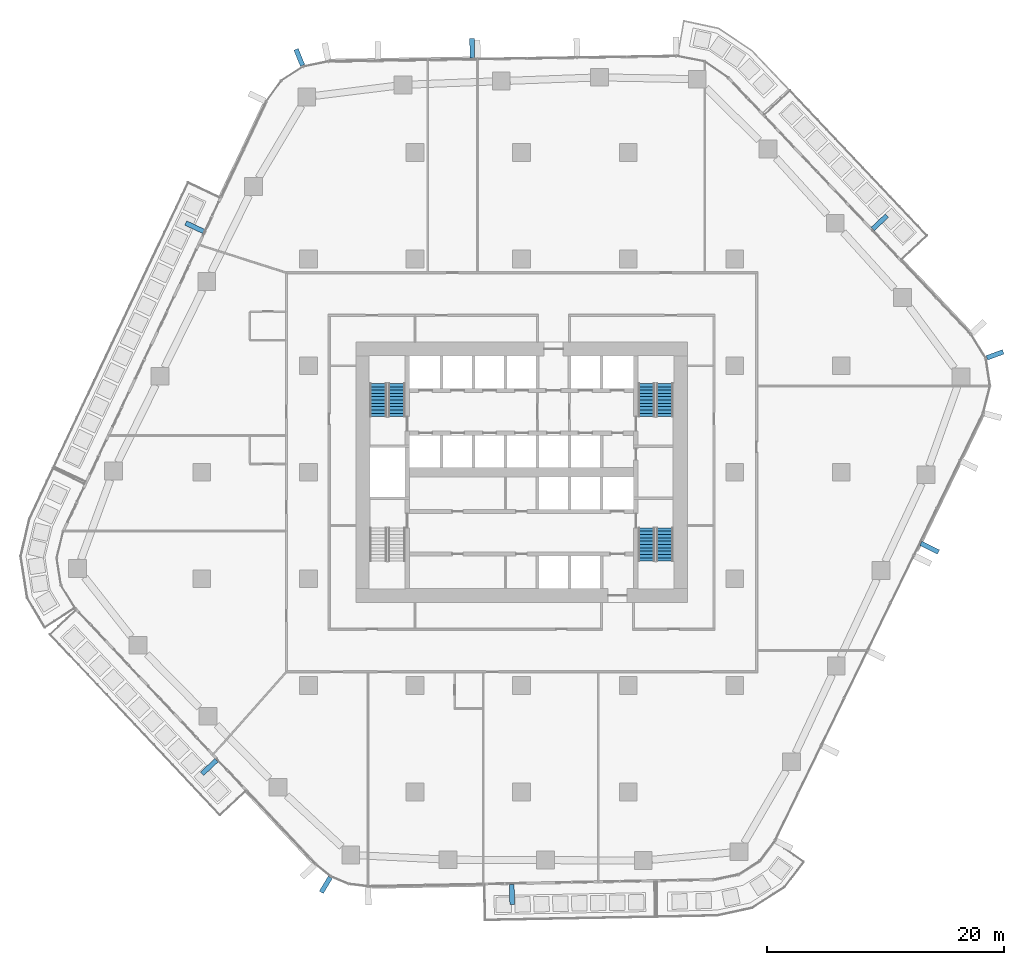
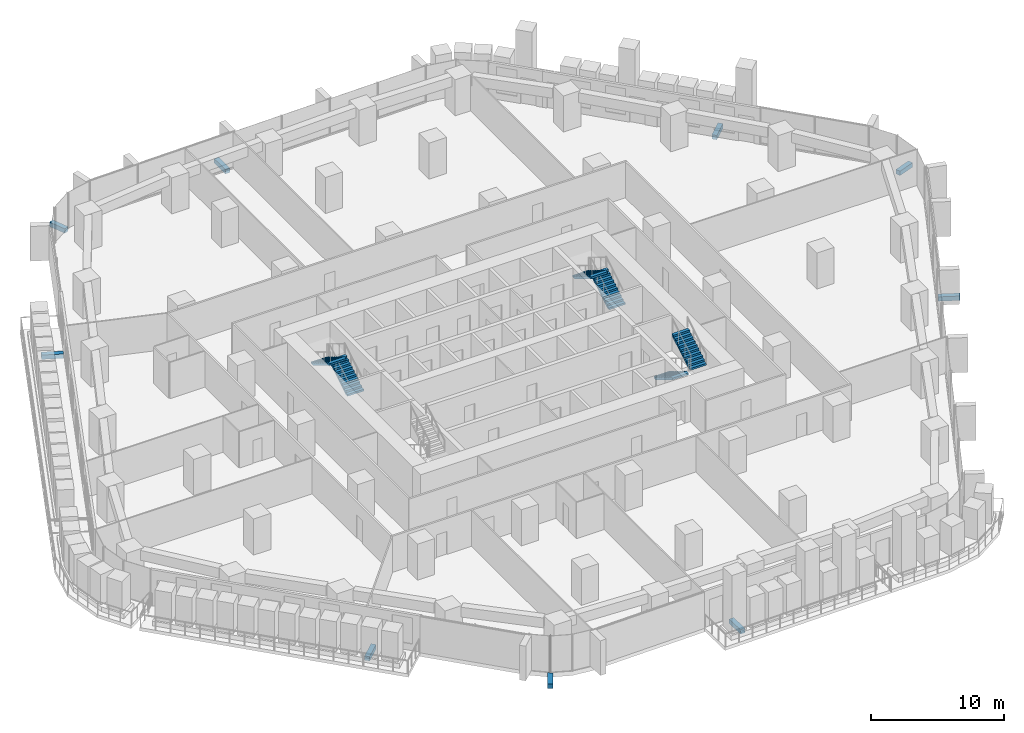
# One storey, part 18 of 25: 9 discrete accessories, 6 stair flights, 3 elements without a shape of their own.
"""IFC4 building model written with IfcOpenShell, lengths in metres."""

from ifc_helpers import new_model, si_unit, direction, frame, origin, origin_2d, place, context, subcontext, project, spatial, polyline, rectangle, outline, extrude, material, layer, layer_set, type_object, element, aggregate, save


model = new_model("IFC4")

# Units and contexts
model_context = context("Model", 3, precision=1e-05, world=origin(), true_north=direction((0.0, 1.0)))
body_context = subcontext(model_context, "Body", "Model", "MODEL_VIEW")
ifc_project = project(units=[si_unit("LENGTHUNIT", "METRE"), si_unit("AREAUNIT", "SQUARE_METRE"), si_unit("VOLUMEUNIT", "CUBIC_METRE"), si_unit("PLANEANGLEUNIT", "RADIAN"), si_unit("MASSUNIT", "GRAM", prefix="KILO")], contexts=[model_context])

# Site, building, storey
site_placement = place(None, origin())
site = spatial("IfcSite", under=ifc_project, at=site_placement, CompositionType="ELEMENT")
building_placement = place(site_placement, origin())
building = spatial("IfcBuilding", under=site, at=building_placement, Name="Dongbaek Canopy Tower", CompositionType="ELEMENT")
storey_placement = place(building_placement, frame((0.0, 0.0, 81.0)))
storey = spatial("IfcBuildingStorey", under=building, at=storey_placement, Name="L16", CompositionType="ELEMENT", Elevation=81.0)

# Stair, stair flights
ifc_material_1 = material(Name="Concrete C40/50", Category="concrete")
stair_type = type_object("IfcStairType", Name="Core exit stair", PredefinedType="HALF_TURN_STAIR", material=ifc_material_1)
stair_1_placement = place(storey_placement, origin())
stair_1 = element("IfcStair", 1, at=stair_1_placement, inside=storey, type_object=stair_type, Name="L16 exit stair A", PredefinedType="HALF_TURN_STAIR")
ifc_material_2 = material(Name="Concrete C40/50", Category="concrete")
ifc_layer = layer(ifc_material_2, 0.14990234375)
ifc_layer_set = layer_set([ifc_layer], Name="Core stair flight 150 waist")
stair_flight_type = type_object("IfcStairFlightType", Name="Core stair flight 150 waist", PredefinedType="STRAIGHT", material=ifc_layer_set)
stair_flight_1_placement = place(storey_placement, frame((12.10009765625, 4.699951171875, 0.0), z_axis=(0.0, 0.0, 1.0), x_axis=(0.0, 1.0, 0.0)))
stair_flight_1 = element("IfcStairFlight", 2, at=stair_flight_1_placement, type_object=stair_flight_type, Name="ST-A flight 1", NumberOfRisers=11, NumberOfTreads=10, PredefinedType="STRAIGHT", RiserHeight=0.168181818, TreadLength=0.28, context=body_context, shape_type="SweptSolid", body=[
    extrude(outline(polyline([(0.0, 0.0), (0.0, 0.168212890625), (0.280029296875, 0.168212890625), (0.280029296875, 0.33642578125), (0.56005859375, 0.33642578125), (0.56005859375, 0.504638671875), (0.840087890625, 0.504638671875), (0.840087890625, 0.672607421875), (1.1201171875, 0.672607421875), (1.1201171875, 0.8408203125), (1.39990234375, 0.8408203125), (1.39990234375, 1.009033203125), (1.679931640625, 1.009033203125), (1.679931640625, 1.17724609375), (1.9599609375, 1.17724609375), (1.9599609375, 1.345458984375), (2.239990234375, 1.345458984375), (2.239990234375, 1.513671875), (2.52001953125, 1.513671875), (2.52001953125, 1.681884765625), (2.800048828125, 1.681884765625), (2.800048828125, 1.85009765625), (2.800048828125, 1.5068359375), (0.291015625, 0.0), (0.0, 0.0)])), frame((0.0, 0.699951171875, 0.0), z_axis=(0.0, -1.0, 0.0), x_axis=(1.0, 0.0, 0.0)), (0.0, 0.0, 1.0), 1.39990234375),
])
stair_flight_2_placement = place(storey_placement, frame((10.550048828125, 7.5, 1.85009765625), z_axis=(0.0, 0.0, 1.0), x_axis=(0.0, -1.0, 0.0)))
stair_flight_2 = element("IfcStairFlight", 3, at=stair_flight_2_placement, type_object=stair_flight_type, Name="ST-A flight 2", NumberOfRisers=11, NumberOfTreads=10, PredefinedType="STRAIGHT", RiserHeight=0.168181818, TreadLength=0.28, context=body_context, shape_type="SweptSolid", body=[
    extrude(outline(polyline([(0.0, 0.0), (0.0, 0.168212890625), (0.280029296875, 0.168212890625), (0.280029296875, 0.33642578125), (0.56005859375, 0.33642578125), (0.56005859375, 0.504638671875), (0.840087890625, 0.504638671875), (0.840087890625, 0.672607421875), (1.1201171875, 0.672607421875), (1.1201171875, 0.8408203125), (1.39990234375, 0.8408203125), (1.39990234375, 1.009033203125), (1.679931640625, 1.009033203125), (1.679931640625, 1.17724609375), (1.9599609375, 1.17724609375), (1.9599609375, 1.345458984375), (2.239990234375, 1.345458984375), (2.239990234375, 1.513671875), (2.52001953125, 1.513671875), (2.52001953125, 1.681884765625), (2.800048828125, 1.681884765625), (2.800048828125, 1.85009765625), (2.800048828125, 1.5068359375), (0.291015625, 0.0), (0.0, 0.0)])), frame((0.0, 0.699951171875, 0.0), z_axis=(0.0, -1.0, 0.0), x_axis=(1.0, 0.0, 0.0)), (0.0, 0.0, 1.0), 1.39990234375),
])
aggregate(stair_1, [stair_flight_1, stair_flight_2])

stair_2_placement = place(storey_placement, origin())
stair_2 = element("IfcStair", 4, at=stair_2_placement, inside=storey, type_object=stair_type, Name="L16 exit stair C", PredefinedType="HALF_TURN_STAIR")
stair_flight_3_placement = place(storey_placement, frame((-10.550048828125, 4.699951171875, 0.0), z_axis=(0.0, 0.0, 1.0), x_axis=(0.0, 1.0, 0.0)))
stair_flight_3 = element("IfcStairFlight", 5, at=stair_flight_3_placement, type_object=stair_flight_type, Name="ST-C flight 1", NumberOfRisers=11, NumberOfTreads=10, PredefinedType="STRAIGHT", RiserHeight=0.168181818, TreadLength=0.28, context=body_context, shape_type="SweptSolid", body=[
    extrude(outline(polyline([(0.0, 0.0), (0.0, 0.168212890625), (0.280029296875, 0.168212890625), (0.280029296875, 0.33642578125), (0.56005859375, 0.33642578125), (0.56005859375, 0.504638671875), (0.840087890625, 0.504638671875), (0.840087890625, 0.672607421875), (1.1201171875, 0.672607421875), (1.1201171875, 0.8408203125), (1.39990234375, 0.8408203125), (1.39990234375, 1.009033203125), (1.679931640625, 1.009033203125), (1.679931640625, 1.17724609375), (1.9599609375, 1.17724609375), (1.9599609375, 1.345458984375), (2.239990234375, 1.345458984375), (2.239990234375, 1.513671875), (2.52001953125, 1.513671875), (2.52001953125, 1.681884765625), (2.800048828125, 1.681884765625), (2.800048828125, 1.85009765625), (2.800048828125, 1.5068359375), (0.291015625, 0.0), (0.0, 0.0)])), frame((0.0, 0.699951171875, 0.0), z_axis=(0.0, -1.0, 0.0), x_axis=(1.0, 0.0, 0.0)), (0.0, 0.0, 1.0), 1.39990234375),
])
stair_flight_4_placement = place(storey_placement, frame((-12.10009765625, 7.5, 1.85009765625), z_axis=(0.0, 0.0, 1.0), x_axis=(0.0, -1.0, 0.0)))
stair_flight_4 = element("IfcStairFlight", 6, at=stair_flight_4_placement, type_object=stair_flight_type, Name="ST-C flight 2", NumberOfRisers=11, NumberOfTreads=10, PredefinedType="STRAIGHT", RiserHeight=0.168181818, TreadLength=0.28, context=body_context, shape_type="SweptSolid", body=[
    extrude(outline(polyline([(0.0, 0.0), (0.0, 0.168212890625), (0.280029296875, 0.168212890625), (0.280029296875, 0.33642578125), (0.56005859375, 0.33642578125), (0.56005859375, 0.504638671875), (0.840087890625, 0.504638671875), (0.840087890625, 0.672607421875), (1.1201171875, 0.672607421875), (1.1201171875, 0.8408203125), (1.39990234375, 0.8408203125), (1.39990234375, 1.009033203125), (1.679931640625, 1.009033203125), (1.679931640625, 1.17724609375), (1.9599609375, 1.17724609375), (1.9599609375, 1.345458984375), (2.239990234375, 1.345458984375), (2.239990234375, 1.513671875), (2.52001953125, 1.513671875), (2.52001953125, 1.681884765625), (2.800048828125, 1.681884765625), (2.800048828125, 1.85009765625), (2.800048828125, 1.5068359375), (0.291015625, 0.0), (0.0, 0.0)])), frame((0.0, 0.699951171875, 0.0), z_axis=(0.0, -1.0, 0.0), x_axis=(1.0, 0.0, 0.0)), (0.0, 0.0, 1.0), 1.39990234375),
])
aggregate(stair_2, [stair_flight_3, stair_flight_4])

stair_3_placement = place(storey_placement, origin())
stair_3 = element("IfcStair", 7, at=stair_3_placement, inside=storey, type_object=stair_type, Name="L16 exit stair B", PredefinedType="HALF_TURN_STAIR")
stair_flight_5_placement = place(storey_placement, frame((10.550048828125, -4.699951171875, 0.0), z_axis=(0.0, 0.0, 1.0), x_axis=(0.0, -1.0, 0.0)))
stair_flight_5 = element("IfcStairFlight", 8, at=stair_flight_5_placement, type_object=stair_flight_type, Name="ST-B flight 1", NumberOfRisers=11, NumberOfTreads=10, PredefinedType="STRAIGHT", RiserHeight=0.168181818, TreadLength=0.28, context=body_context, shape_type="SweptSolid", body=[
    extrude(outline(polyline([(0.0, 0.0), (0.0, 0.168212890625), (0.280029296875, 0.168212890625), (0.280029296875, 0.33642578125), (0.56005859375, 0.33642578125), (0.56005859375, 0.504638671875), (0.840087890625, 0.504638671875), (0.840087890625, 0.672607421875), (1.1201171875, 0.672607421875), (1.1201171875, 0.8408203125), (1.39990234375, 0.8408203125), (1.39990234375, 1.009033203125), (1.679931640625, 1.009033203125), (1.679931640625, 1.17724609375), (1.9599609375, 1.17724609375), (1.9599609375, 1.345458984375), (2.239990234375, 1.345458984375), (2.239990234375, 1.513671875), (2.52001953125, 1.513671875), (2.52001953125, 1.681884765625), (2.800048828125, 1.681884765625), (2.800048828125, 1.85009765625), (2.800048828125, 1.5068359375), (0.291015625, 0.0), (0.0, 0.0)])), frame((0.0, 0.699951171875, 0.0), z_axis=(0.0, -1.0, 0.0), x_axis=(1.0, 0.0, 0.0)), (0.0, 0.0, 1.0), 1.39990234375),
])
stair_flight_6_placement = place(storey_placement, frame((12.10009765625, -7.5, 1.85009765625), z_axis=(0.0, 0.0, 1.0), x_axis=(0.0, 1.0, 0.0)))
stair_flight_6 = element("IfcStairFlight", 9, at=stair_flight_6_placement, type_object=stair_flight_type, Name="ST-B flight 2", NumberOfRisers=11, NumberOfTreads=10, PredefinedType="STRAIGHT", RiserHeight=0.168181818, TreadLength=0.28, context=body_context, shape_type="SweptSolid", body=[
    extrude(outline(polyline([(0.0, 0.0), (0.0, 0.168212890625), (0.280029296875, 0.168212890625), (0.280029296875, 0.33642578125), (0.56005859375, 0.33642578125), (0.56005859375, 0.504638671875), (0.840087890625, 0.504638671875), (0.840087890625, 0.672607421875), (1.1201171875, 0.672607421875), (1.1201171875, 0.8408203125), (1.39990234375, 0.8408203125), (1.39990234375, 1.009033203125), (1.679931640625, 1.009033203125), (1.679931640625, 1.17724609375), (1.9599609375, 1.17724609375), (1.9599609375, 1.345458984375), (2.239990234375, 1.345458984375), (2.239990234375, 1.513671875), (2.52001953125, 1.513671875), (2.52001953125, 1.681884765625), (2.800048828125, 1.681884765625), (2.800048828125, 1.85009765625), (2.800048828125, 1.5068359375), (0.291015625, 0.0), (0.0, 0.0)])), frame((0.0, 0.699951171875, 0.0), z_axis=(0.0, -1.0, 0.0), x_axis=(1.0, 0.0, 0.0)), (0.0, 0.0, 1.0), 1.39990234375),
])
aggregate(stair_3, [stair_flight_5, stair_flight_6])

# Discrete accessories
ifc_material_3 = material(Name="Galvanised steel S355 bracket", Category="steel")
discrete_accessory_type = type_object("IfcDiscreteAccessoryType", Name="Crease fin bracket BR3 400", PredefinedType="BRACKET", material=ifc_material_3)
discrete_accessory_1_placement = place(storey_placement, frame((34.461669921875, -6.36962890625, -0.39990234375), z_axis=(0.0, 0.0, 1.0), x_axis=(0.899092227835, -0.437759255582, 0.0)))
element("IfcDiscreteAccessory", 10, at=discrete_accessory_1_placement, inside=storey, type_object=discrete_accessory_type, Name="Crease fin bracket L16 F5", PredefinedType="BRACKET", context=body_context, shape_type="SweptSolid", body=[
    extrude(rectangle(XDim=1.650390625, YDim=0.39990234375, at=origin_2d()), origin(), (0.0, 0.0, 1.0), 0.39990234375),
])
discrete_accessory_2_placement = place(storey_placement, frame((30.259765625, 21.112548828125, -0.39990234375), z_axis=(0.0, 0.0, 1.0), x_axis=(0.726652613901, 0.687005079101, 0.0)))
element("IfcDiscreteAccessory", 11, at=discrete_accessory_2_placement, inside=storey, type_object=discrete_accessory_type, Name="Crease fin bracket L16 F0", PredefinedType="BRACKET", context=body_context, shape_type="SweptSolid", body=[
    extrude(rectangle(XDim=1.64306640625, YDim=0.39990234375, at=origin_2d()), origin(), (0.0, 0.0, 1.0), 0.39990234375),
])
discrete_accessory_3_placement = place(storey_placement, frame((-4.171630859375, 35.8095703125, -0.39990234375), z_axis=(0.0, 0.0, 1.0), x_axis=(-0.015773631607, 0.999875588534, 0.0)))
element("IfcDiscreteAccessory", 12, at=discrete_accessory_3_placement, inside=storey, type_object=discrete_accessory_type, Name="Crease fin bracket L16 F1", PredefinedType="BRACKET", context=body_context, shape_type="SweptSolid", body=[
    extrude(rectangle(XDim=1.6474609375, YDim=0.39990234375, at=origin_2d()), origin(), (0.0, 0.0, 1.0), 0.39990234375),
])
discrete_accessory_4_placement = place(storey_placement, frame((-27.60498046875, 20.694580078125, -0.39990234375), z_axis=(0.0, 0.0, 1.0), x_axis=(-0.904177254233, 0.427157456832, 0.0)))
element("IfcDiscreteAccessory", 13, at=discrete_accessory_4_placement, inside=storey, type_object=discrete_accessory_type, Name="Crease fin bracket L16 F2", PredefinedType="BRACKET", context=body_context, shape_type="SweptSolid", body=[
    extrude(rectangle(XDim=1.659423828125, YDim=0.39990234375, at=origin_2d()), origin(), (0.0, 0.0, 1.0), 0.39990234375),
])
discrete_accessory_5_placement = place(storey_placement, frame((-26.373779296875, -24.894287109375, -0.39990234375), z_axis=(0.0, 0.0, 1.0), x_axis=(-0.728584995048, -0.684955403651, 0.0)))
element("IfcDiscreteAccessory", 14, at=discrete_accessory_5_placement, inside=storey, type_object=discrete_accessory_type, Name="Crease fin bracket L16 F3", PredefinedType="BRACKET", context=body_context, shape_type="SweptSolid", body=[
    extrude(rectangle(XDim=1.666015625, YDim=0.39990234375, at=origin_2d()), origin(), (0.0, 0.0, 1.0), 0.39990234375),
])
discrete_accessory_6_placement = place(storey_placement, frame((-0.809814453125, -35.65576171875, -0.39990234375), z_axis=(0.0, 0.0, 1.0), x_axis=(0.018951395748, -0.999820406173, 0.0)))
element("IfcDiscreteAccessory", 15, at=discrete_accessory_6_placement, inside=storey, type_object=discrete_accessory_type, Name="Crease fin bracket L16 F4", PredefinedType="BRACKET", context=body_context, shape_type="SweptSolid", body=[
    extrude(rectangle(XDim=1.66064453125, YDim=0.39990234375, at=origin_2d()), origin(), (0.0, 0.0, 1.0), 0.39990234375),
])
for number, where, z_axis, x_axis, name in (
    (16, (39.9814453125, 9.91650390625, -0.39990234375), (0.0, 0.0, 1.0), (0.938038410141, 0.346531298875, 0.0), "Corner fin bracket L16 K0"),
    (17, (-18.7666015625, 35.03173828125, -0.39990234375), (0.0, 0.0, 1.0), (-0.377412519931, 0.926045241767, 0.0), "Corner fin bracket L16 K2"),
    (18, (-16.53271484375, -34.841064453125, -0.39990234375), (0.0, 0.0, 1.0), (-0.512291705237, -0.858811509439, 0.0), "Corner fin bracket L16 K4"),
):
    element("IfcDiscreteAccessory", number, at=place(storey_placement, frame(where, z_axis=z_axis, x_axis=x_axis)), inside=storey, type_object=discrete_accessory_type, Name=name, PredefinedType="BRACKET", context=body_context, shape_type="SweptSolid", body=[
        extrude(rectangle(XDim=1.469970703125, YDim=0.39990234375, at=origin_2d()), origin(), (0.0, 0.0, 1.0), 0.39990234375),
    ])

save(model, "model.ifc")
